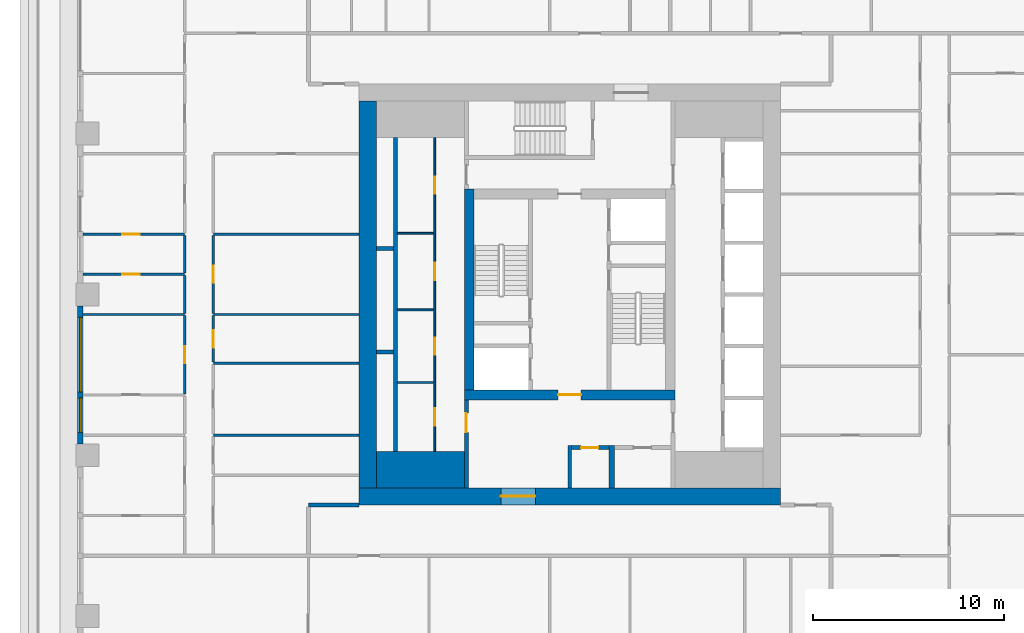
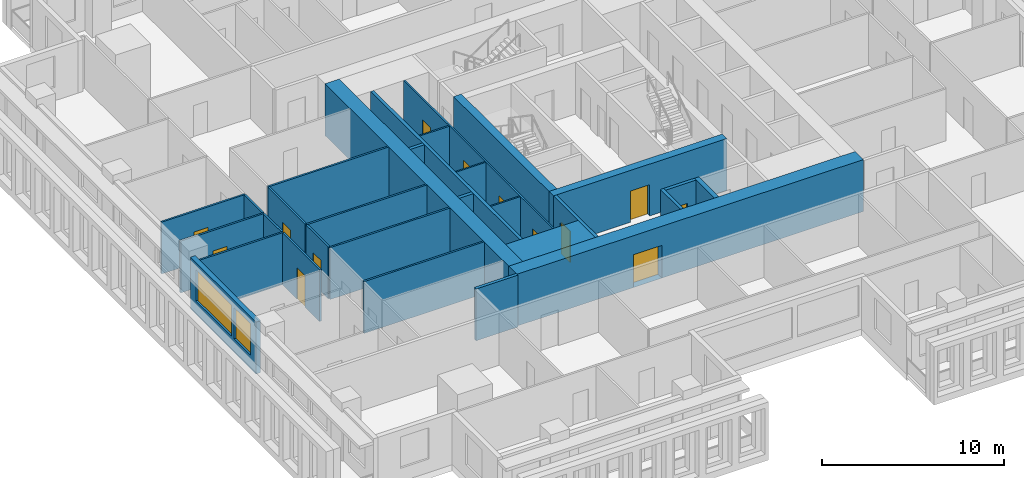
# One storey, part 3 of 15: 30 walls, 13 doors, 2 windows, 15 openings.
"""IFC4 building model written with IfcOpenShell, lengths in metres."""

from ifc_helpers import new_model, si_unit, direction, frame, frame_2d, origin, place, context, subcontext, project, spatial, rectangle, extrude, material, layer, layer_set, type_object, element, fill, save


model = new_model("IFC4")

# Units and contexts
model_context = context("Model", 3, precision=1e-05, world=origin(), true_north=direction((0.0, 1.0)))
body_context = subcontext(model_context, "Body", "Model", "MODEL_VIEW")
ifc_project = project(units=[si_unit("LENGTHUNIT", "METRE"), si_unit("AREAUNIT", "SQUARE_METRE"), si_unit("VOLUMEUNIT", "CUBIC_METRE"), si_unit("PLANEANGLEUNIT", "RADIAN"), si_unit("MASSUNIT", "GRAM", prefix="KILO")], contexts=[model_context])

# Site, building, storey
site_placement = place(None, origin())
site = spatial("IfcSite", under=ifc_project, at=site_placement, CompositionType="ELEMENT")
building_placement = place(site_placement, origin())
building = spatial("IfcBuilding", under=site, at=building_placement, Name="Khepri Terraces", CompositionType="ELEMENT")
storey_placement = place(building_placement, frame((0.0, 0.0, 252.300048828125)))
storey = spatial("IfcBuildingStorey", under=building, at=storey_placement, Name="L60", CompositionType="ELEMENT", Elevation=252.300048828125)

# Walls
ifc_material_1 = material(Name="Concrete C40/50", Category="concrete")
ifc_layer_1 = layer(ifc_material_1, 1.89990234375, Name="Concrete C40/50", Category="concrete")
ifc_layer_set_1 = layer_set([ifc_layer_1], Name="Concrete C40/50")
wall_type_1 = type_object("IfcWallType", Name="Core wall 1900 C40/50", PredefinedType="SHEAR", material=ifc_layer_set_1)
wall_1_placement = place(storey_placement, frame((-10.10009765625, -9.14990234375, 0.0), z_axis=(0.0, 0.0, 1.0), x_axis=(1.0, 0.0, 0.0)))
element("IfcWall", 1, at=wall_1_placement, inside=storey, type_object=wall_type_1, Name="Core wall PR01 L60", PredefinedType="SHEAR", context=body_context, shape_type="SweptSolid", body=[
    extrude(rectangle(XDim=4.60009765625, YDim=1.89990234375, at=frame_2d((2.300048828125, 0.0))), origin(), (0.0, 0.0, 1.0), 3.47998046875),
])
ifc_layer_2 = layer(ifc_material_1, 0.199951171875, Name="Concrete C40/50", Category="concrete")
ifc_layer_set_2 = layer_set([ifc_layer_2], Name="Concrete C40/50")
wall_type_2 = type_object("IfcWallType", Name="Core wall 200 C40/50", PredefinedType="SHEAR", material=ifc_layer_set_2)
wall_2_placement = place(storey_placement, frame((-9.10009765625, -8.199951171875, 0.0), z_axis=(0.0, 0.0, 1.0), x_axis=(0.0, 1.0, 0.0)))
element("IfcWall", 2, at=wall_2_placement, inside=storey, type_object=wall_type_2, Name="Core wall SH01 L60", PredefinedType="SHEAR", context=body_context, shape_type="SweptSolid", body=[
    extrude(rectangle(XDim=16.39990234375, YDim=0.199951171875, at=frame_2d((8.199951171875, 0.0))), origin(), (0.0, 0.0, 1.0), 3.47998046875),
])
for number, where, z_axis, x_axis, name in (
    (3, (-10.10009765625, -3.0, 0.0), (0.0, 0.0, 1.0), (1.0, 0.0, 0.0), "Core wall SH06 L60"),
    (4, (-10.10009765625, 2.39990234375, 0.0), (0.0, 0.0, 1.0), (1.0, 0.0, 0.0), "Core wall SH11 L60"),
):
    element("IfcWall", number, at=place(storey_placement, frame(where, z_axis=z_axis, x_axis=x_axis)), inside=storey, type_object=wall_type_2, Name=name, PredefinedType="SHEAR", context=body_context, shape_type="SweptSolid", body=[
        extrude(rectangle(XDim=0.900146484375, YDim=0.199951171875, at=frame_2d((0.4501953125, 0.0))), origin(), (0.0, 0.0, 1.0), 3.47998046875),
    ])

# Wall, opening, door
ifc_layer_3 = layer(ifc_material_1, 0.5, Name="Concrete C40/50", Category="concrete")
ifc_layer_set_3 = layer_set([ifc_layer_3], Name="Concrete C40/50")
wall_type_3 = type_object("IfcWallType", Name="Core wall 500 C40/50", PredefinedType="SHEAR", material=ifc_layer_set_3)
wall_3_placement = place(storey_placement, frame((-5.5, -5.25, 0.0), z_axis=(0.0, 0.0, 1.0), x_axis=(1.0, 0.0, 0.0)))
wall_3 = element("IfcWall", 5, at=wall_3_placement, inside=storey, type_object=wall_type_3, Name="Core wall BX01 L60", PredefinedType="SHEAR", context=body_context, shape_type="SweptSolid", body=[
    extrude(rectangle(XDim=11.0, YDim=0.5, at=frame_2d((5.5, 0.0))), origin(), (0.0, 0.0, 1.0), 3.47998046875),
])
opening_1_placement = place(wall_3_placement, frame((4.89990234375, 0.0, 0.0)))
opening_1 = element("IfcOpeningElement", 6, at=opening_1_placement, cuts=wall_3, Name="Opening L60-C14", PredefinedType="OPENING", context=body_context, shape_type="SweptSolid", body=[
    extrude(rectangle(XDim=1.199951171875, YDim=2.10009765625, at=frame_2d((0.60009765625, 1.050048828125))), frame((0.0, 0.260009765625, 0.0), z_axis=(0.0, -1.0, 0.0), x_axis=(1.0, 0.0, 0.0)), (0.0, 0.0, 1.0), 0.52001953125),
])
ifc_material_2 = material(Name="Painted steel", Category="steel")
door_type_1 = type_object("IfcDoorType", Name="DR-CORE-FF-LOBBY-1200", OperationType="NOTDEFINED", PredefinedType="DOOR", material=ifc_material_2)
door_1_placement = place(opening_1_placement, origin())
door_1 = element("IfcDoor", 7, at=door_1_placement, inside=storey, type_object=door_type_1, Name="Firefighting lobby door L60-C14", OperationType="SINGLE_SWING_RIGHT", OverallHeight=2.10009765625, OverallWidth=1.199951171875, PredefinedType="DOOR", context=body_context, shape_type="SweptSolid", body=[
    extrude(rectangle(XDim=1.199951171875, YDim=2.10009765625, at=frame_2d((0.60009765625, 1.050048828125))), frame((0.0, 0.02490234375, 0.0), z_axis=(0.0, -1.0, 0.0), x_axis=(1.0, 0.0, 0.0)), (0.0, 0.0, 1.0), 0.050048828125),
])
fill(opening_1, door_1)

# Wall
wall_4_placement = place(storey_placement, frame((-5.25, -5.0, 0.0), z_axis=(0.0, 0.0, 1.0), x_axis=(0.0, 1.0, 0.0)))
element("IfcWall", 8, at=wall_4_placement, inside=storey, type_object=wall_type_3, Name="Core wall BX02 L60", PredefinedType="SHEAR", context=body_context, shape_type="SweptSolid", body=[
    extrude(rectangle(XDim=10.5, YDim=0.5, at=frame_2d((5.25, 0.0))), origin(), (0.0, 0.0, 1.0), 3.47998046875),
])

# Wall, opening, door
ifc_layer_4 = layer(ifc_material_1, 0.89990234375, Name="Concrete C40/50", Category="concrete")
ifc_layer_set_4 = layer_set([ifc_layer_4], Name="Concrete C40/50")
wall_type_4 = type_object("IfcWallType", Name="Core wall 900 C40/50", PredefinedType="SHEAR", material=ifc_layer_set_4)
wall_5_placement = place(storey_placement, frame((-11.0, -10.550048828125, 0.0), z_axis=(0.0, 0.0, 1.0), x_axis=(1.0, 0.0, 0.0)))
wall_5 = element("IfcWall", 9, at=wall_5_placement, inside=storey, type_object=wall_type_4, Name="Core wall OW-S L60", PredefinedType="SHEAR", context=body_context, shape_type="SweptSolid", body=[
    extrude(rectangle(XDim=22.0, YDim=0.89990234375, at=frame_2d((11.0, 0.0))), origin(), (0.0, 0.0, 1.0), 3.47998046875),
])
opening_2_placement = place(wall_5_placement, frame((7.39990234375, 0.0, 0.0)))
opening_2 = element("IfcOpeningElement", 10, at=opening_2_placement, cuts=wall_5, Name="Opening L60-C21", PredefinedType="OPENING", context=body_context, shape_type="SweptSolid", body=[
    extrude(rectangle(XDim=1.800048828125, YDim=2.199951171875, at=frame_2d((0.89990234375, 1.10009765625))), frame((0.0, 0.4599609375, 0.0), z_axis=(0.0, -1.0, 0.0), x_axis=(1.0, 0.0, 0.0)), (0.0, 0.0, 1.0), 0.919921875),
])
door_type_2 = type_object("IfcDoorType", Name="DR-CORE-ENTRANCE-1800", OperationType="NOTDEFINED", PredefinedType="DOOR", material=ifc_material_2)
door_2_placement = place(opening_2_placement, frame((1.800048828125, 0.0, 0.0), z_axis=(0.0, 0.0, 1.0), x_axis=(-1.0, 0.0, 0.0)))
door_2 = element("IfcDoor", 11, at=door_2_placement, inside=storey, type_object=door_type_2, Name="Core entrance door pair L60-C21", OperationType="DOUBLE_DOOR_SINGLE_SWING", OverallHeight=2.199951171875, OverallWidth=1.800048828125, PredefinedType="DOOR", context=body_context, shape_type="SweptSolid", body=[
    extrude(rectangle(XDim=1.800048828125, YDim=2.199951171875, at=frame_2d((0.89990234375, 1.10009765625))), frame((0.0, 0.02490234375, 0.0), z_axis=(0.0, -1.0, 0.0), x_axis=(1.0, 0.0, 0.0)), (0.0, 0.0, 1.0), 0.050048828125),
])
fill(opening_2, door_2)

# Wall
wall_6_placement = place(storey_placement, frame((-10.550048828125, -10.10009765625, 0.0), z_axis=(0.0, 0.0, 1.0), x_axis=(0.0, 1.0, 0.0)))
element("IfcWall", 12, at=wall_6_placement, inside=storey, type_object=wall_type_4, Name="Core wall OW-W L60", PredefinedType="SHEAR", context=body_context, shape_type="SweptSolid", body=[
    extrude(rectangle(XDim=20.2001953125, YDim=0.89990234375, at=frame_2d((10.10009765625, 0.0))), origin(), (0.0, 0.0, 1.0), 3.47998046875),
])

# Wall, openings, doors
ifc_material_3 = material(Name="Fire-rated gypsum board partition")
ifc_layer_5 = layer(ifc_material_3, 0.10009765625, Name="Fire-rated gypsum board partition")
ifc_layer_set_5 = layer_set([ifc_layer_5], Name="Fire-rated gypsum board partition")
wall_type_5 = type_object("IfcWallType", Name="WL-CORE-PART-100", PredefinedType="PARTITIONING", material=ifc_layer_set_5)
wall_7_placement = place(storey_placement, frame((-7.050048828125, -8.199951171875, 0.0), z_axis=(0.0, 0.0, 1.0), x_axis=(0.0, 1.0, 0.0)))
wall_7 = element("IfcWall", 13, at=wall_7_placement, inside=storey, type_object=wall_type_5, Name="Core partition PT05 L60", PredefinedType="PARTITIONING", context=body_context, shape_type="SweptSolid", body=[
    extrude(rectangle(XDim=16.39990234375, YDim=0.10009765625, at=frame_2d((8.199951171875, 0.0))), origin(), (0.0, 0.0, 1.0), 3.47998046875),
])
opening_3_placement = place(wall_7_placement, frame((1.35009765625, 0.0, 0.0)))
opening_3 = element("IfcOpeningElement", 14, at=opening_3_placement, cuts=wall_7, Name="Opening L60-C24", PredefinedType="OPENING", context=body_context, shape_type="SweptSolid", body=[
    extrude(rectangle(XDim=0.89990234375, YDim=2.10009765625, at=frame_2d((0.449951171875, 1.050048828125))), frame((0.0, 0.06005859375, 0.0), z_axis=(0.0, -1.0, 0.0), x_axis=(1.0, 0.0, 0.0)), (0.0, 0.0, 1.0), 0.1201171875),
])
opening_4_placement = place(wall_7_placement, frame((5.050048828125, 0.0, 0.0)))
opening_4 = element("IfcOpeningElement", 15, at=opening_4_placement, cuts=wall_7, Name="Opening L60-C25", PredefinedType="OPENING", context=body_context, shape_type="SweptSolid", body=[
    extrude(rectangle(XDim=0.89990234375, YDim=2.10009765625, at=frame_2d((0.449951171875, 1.050048828125))), frame((0.0, 0.06005859375, 0.0), z_axis=(0.0, -1.0, 0.0), x_axis=(1.0, 0.0, 0.0)), (0.0, 0.0, 1.0), 0.1201171875),
])
opening_5_placement = place(wall_7_placement, frame((8.949951171875, 0.0, 0.0)))
opening_5 = element("IfcOpeningElement", 16, at=opening_5_placement, cuts=wall_7, Name="Opening L60-C26", PredefinedType="OPENING", context=body_context, shape_type="SweptSolid", body=[
    extrude(rectangle(XDim=0.89990234375, YDim=2.10009765625, at=frame_2d((0.449951171875, 1.050048828125))), frame((0.0, 0.06005859375, 0.0), z_axis=(0.0, -1.0, 0.0), x_axis=(1.0, 0.0, 0.0)), (0.0, 0.0, 1.0), 0.1201171875),
])
opening_6_placement = place(wall_7_placement, frame((13.449951171875, 0.0, 0.0)))
opening_6 = element("IfcOpeningElement", 17, at=opening_6_placement, cuts=wall_7, Name="Opening L60-C27", PredefinedType="OPENING", context=body_context, shape_type="SweptSolid", body=[
    extrude(rectangle(XDim=0.89990234375, YDim=2.10009765625, at=frame_2d((0.449951171875, 1.050048828125))), frame((0.0, 0.06005859375, 0.0), z_axis=(0.0, -1.0, 0.0), x_axis=(1.0, 0.0, 0.0)), (0.0, 0.0, 1.0), 0.1201171875),
])
door_type_3 = type_object("IfcDoorType", Name="DR-CORE-SERVICE-900", OperationType="NOTDEFINED", PredefinedType="DOOR", material=ifc_material_2)
door_3_placement = place(opening_3_placement, origin())
door_3 = element("IfcDoor", 18, at=door_3_placement, inside=storey, type_object=door_type_3, Name="Service room door L60-C24", OperationType="SINGLE_SWING_LEFT", OverallHeight=2.10009765625, OverallWidth=0.89990234375, PredefinedType="DOOR", context=body_context, shape_type="SweptSolid", body=[
    extrude(rectangle(XDim=0.89990234375, YDim=2.10009765625, at=frame_2d((0.449951171875, 1.050048828125))), frame((0.0, 0.02490234375, 0.0), z_axis=(0.0, -1.0, 0.0), x_axis=(1.0, 0.0, 0.0)), (0.0, 0.0, 1.0), 0.050048828125),
])
fill(opening_3, door_3)
door_4_placement = place(opening_4_placement, origin())
door_4 = element("IfcDoor", 19, at=door_4_placement, inside=storey, type_object=door_type_3, Name="Service room door L60-C25", OperationType="SINGLE_SWING_LEFT", OverallHeight=2.10009765625, OverallWidth=0.89990234375, PredefinedType="DOOR", context=body_context, shape_type="SweptSolid", body=[
    extrude(rectangle(XDim=0.89990234375, YDim=2.10009765625, at=frame_2d((0.449951171875, 1.050048828125))), frame((0.0, 0.02490234375, 0.0), z_axis=(0.0, -1.0, 0.0), x_axis=(1.0, 0.0, 0.0)), (0.0, 0.0, 1.0), 0.050048828125),
])
fill(opening_4, door_4)
door_5_placement = place(opening_5_placement, origin())
door_5 = element("IfcDoor", 20, at=door_5_placement, inside=storey, type_object=door_type_3, Name="Service room door L60-C26", OperationType="SINGLE_SWING_RIGHT", OverallHeight=2.10009765625, OverallWidth=0.89990234375, PredefinedType="DOOR", context=body_context, shape_type="SweptSolid", body=[
    extrude(rectangle(XDim=0.89990234375, YDim=2.10009765625, at=frame_2d((0.449951171875, 1.050048828125))), frame((0.0, 0.02490234375, 0.0), z_axis=(0.0, -1.0, 0.0), x_axis=(1.0, 0.0, 0.0)), (0.0, 0.0, 1.0), 0.050048828125),
])
fill(opening_5, door_5)
door_6_placement = place(opening_6_placement, origin())
door_6 = element("IfcDoor", 21, at=door_6_placement, inside=storey, type_object=door_type_3, Name="Service room door L60-C27", OperationType="SINGLE_SWING_RIGHT", OverallHeight=2.10009765625, OverallWidth=0.89990234375, PredefinedType="DOOR", context=body_context, shape_type="SweptSolid", body=[
    extrude(rectangle(XDim=0.89990234375, YDim=2.10009765625, at=frame_2d((0.449951171875, 1.050048828125))), frame((0.0, 0.02490234375, 0.0), z_axis=(0.0, -1.0, 0.0), x_axis=(1.0, 0.0, 0.0)), (0.0, 0.0, 1.0), 0.050048828125),
])
fill(opening_6, door_6)

# Walls
for number, where, z_axis, x_axis, name in (
    (22, (-9.0, -4.60009765625, 0.0), (0.0, 0.0, 1.0), (1.0, 0.0, 0.0), "Core partition PT08 L60"),
    (23, (-9.0, -0.800048828125, 0.0), (0.0, 0.0, 1.0), (1.0, 0.0, 0.0), "Core partition PT09 L60"),
    (24, (-9.0, 3.199951171875, 0.0), (0.0, 0.0, 1.0), (1.0, 0.0, 0.0), "Core partition PT10 L60"),
):
    element("IfcWall", number, at=place(storey_placement, frame(where, z_axis=z_axis, x_axis=x_axis)), inside=storey, type_object=wall_type_5, Name=name, PredefinedType="PARTITIONING", context=body_context, shape_type="SweptSolid", body=[
        extrude(rectangle(XDim=1.89990234375, YDim=0.10009765625, at=frame_2d((0.949951171875, 0.0))), origin(), (0.0, 0.0, 1.0), 3.47998046875),
    ])

# Wall, opening, door
ifc_layer_6 = layer(ifc_material_3, 0.199951171875, Name="Fire-rated gypsum board partition")
ifc_layer_set_6 = layer_set([ifc_layer_6], Name="Fire-rated gypsum board partition")
wall_type_6 = type_object("IfcWallType", Name="WL-CORE-PART-200", PredefinedType="PARTITIONING", material=ifc_layer_set_6)
wall_8_placement = place(storey_placement, frame((-5.39990234375, -10.10009765625, 0.0), z_axis=(0.0, 0.0, 1.0), x_axis=(0.0, 1.0, 0.0)))
wall_8 = element("IfcWall", 25, at=wall_8_placement, inside=storey, type_object=wall_type_6, Name="Core partition PT01 L60", PredefinedType="PARTITIONING", context=body_context, shape_type="SweptSolid", body=[
    extrude(rectangle(XDim=4.60009765625, YDim=0.199951171875, at=frame_2d((2.300048828125, 0.0))), origin(), (0.0, 0.0, 1.0), 3.47998046875),
])
opening_7_placement = place(wall_8_placement, frame((2.89990234375, 0.0, 0.0)))
opening_7 = element("IfcOpeningElement", 26, at=opening_7_placement, cuts=wall_8, Name="Opening L60-C18", PredefinedType="OPENING", context=body_context, shape_type="SweptSolid", body=[
    extrude(rectangle(XDim=1.0, YDim=2.10009765625, at=frame_2d((0.5, 1.050048828125))), frame((0.0, 0.10986328125, 0.0), z_axis=(0.0, -1.0, 0.0), x_axis=(1.0, 0.0, 0.0)), (0.0, 0.0, 1.0), 0.219970703125),
])
door_type_4 = type_object("IfcDoorType", Name="DR-CORE-LOBBY-1000", OperationType="NOTDEFINED", PredefinedType="DOOR", material=ifc_material_2)
door_7_placement = place(opening_7_placement, frame((1.0, 0.0, 0.0), z_axis=(0.0, 0.0, 1.0), x_axis=(-1.0, 0.0, 0.0)))
door_7 = element("IfcDoor", 27, at=door_7_placement, inside=storey, type_object=door_type_4, Name="Lobby door L60-C18", OperationType="SINGLE_SWING_LEFT", OverallHeight=2.10009765625, OverallWidth=1.0, PredefinedType="DOOR", context=body_context, shape_type="SweptSolid", body=[
    extrude(rectangle(XDim=1.0, YDim=2.10009765625, at=frame_2d((0.5, 1.050048828125))), frame((0.0, 0.02490234375, 0.0), z_axis=(0.0, -1.0, 0.0), x_axis=(1.0, 0.0, 0.0)), (0.0, 0.0, 1.0), 0.050048828125),
])
fill(opening_7, door_7)

# Wall
wall_9_placement = place(storey_placement, frame((0.0, -10.10009765625, 0.0), z_axis=(0.0, 0.0, 1.0), x_axis=(0.0, 1.0, 0.0)))
element("IfcWall", 28, at=wall_9_placement, inside=storey, type_object=wall_type_6, Name="Core partition PT02 L60", PredefinedType="PARTITIONING", context=body_context, shape_type="SweptSolid", body=[
    extrude(rectangle(XDim=2.2001953125, YDim=0.199951171875, at=frame_2d((1.10009765625, 0.0))), origin(), (0.0, 0.0, 1.0), 3.47998046875),
])

# Wall, opening, door
wall_10_placement = place(storey_placement, frame((0.10009765625, -8.0, 0.0), z_axis=(0.0, 0.0, 1.0), x_axis=(1.0, 0.0, 0.0)))
wall_10 = element("IfcWall", 29, at=wall_10_placement, inside=storey, type_object=wall_type_6, Name="Core partition PT06 L60", PredefinedType="PARTITIONING", context=body_context, shape_type="SweptSolid", body=[
    extrude(rectangle(XDim=1.949951171875, YDim=0.199951171875, at=frame_2d((0.97509765625, 0.0))), origin(), (0.0, 0.0, 1.0), 3.47998046875),
])
opening_8_placement = place(wall_10_placement, frame((0.5, 0.0, 0.0)))
opening_8 = element("IfcOpeningElement", 30, at=opening_8_placement, cuts=wall_10, Name="Opening L60-C22", PredefinedType="OPENING", context=body_context, shape_type="SweptSolid", body=[
    extrude(rectangle(XDim=0.89990234375, YDim=2.10009765625, at=frame_2d((0.449951171875, 1.050048828125))), frame((0.0, 0.10986328125, 0.0), z_axis=(0.0, -1.0, 0.0), x_axis=(1.0, 0.0, 0.0)), (0.0, 0.0, 1.0), 0.219970703125),
])
door_8_placement = place(opening_8_placement, frame((0.89990234375, 0.0, 0.0), z_axis=(0.0, 0.0, 1.0), x_axis=(-1.0, 0.0, 0.0)))
door_8 = element("IfcDoor", 31, at=door_8_placement, inside=storey, type_object=door_type_3, Name="Service room door L60-C22", OperationType="SINGLE_SWING_RIGHT", OverallHeight=2.10009765625, OverallWidth=0.89990234375, PredefinedType="DOOR", context=body_context, shape_type="SweptSolid", body=[
    extrude(rectangle(XDim=0.89990234375, YDim=2.10009765625, at=frame_2d((0.449951171875, 1.050048828125))), frame((0.0, 0.02490234375, 0.0), z_axis=(0.0, -1.0, 0.0), x_axis=(1.0, 0.0, 0.0)), (0.0, 0.0, 1.0), 0.050048828125),
])
fill(opening_8, door_8)

# Walls
ifc_layer_7 = layer(ifc_material_3, 0.300048828125, Name="Fire-rated gypsum board partition")
ifc_layer_set_7 = layer_set([ifc_layer_7], Name="Fire-rated gypsum board partition")
wall_type_7 = type_object("IfcWallType", Name="WL-CORE-PART-300", PredefinedType="PARTITIONING", material=ifc_layer_set_7)
wall_11_placement = place(storey_placement, frame((2.199951171875, -10.10009765625, 0.0), z_axis=(0.0, 0.0, 1.0), x_axis=(0.0, 1.0, 0.0)))
element("IfcWall", 32, at=wall_11_placement, inside=storey, type_object=wall_type_7, Name="Core partition PT03 L60", PredefinedType="PARTITIONING", context=body_context, shape_type="SweptSolid", body=[
    extrude(rectangle(XDim=2.2001953125, YDim=0.300048828125, at=frame_2d((1.10009765625, 0.0))), origin(), (0.0, 0.0, 1.0), 3.47998046875),
])
ifc_material_4 = material(Name="Fire-rated gypsum plasterboard partition, mineral wool")
ifc_layer_8 = layer(ifc_material_4, 0.199951171875, Name="Fire-rated gypsum plasterboard partition, mineral wool")
ifc_layer_set_8 = layer_set([ifc_layer_8], Name="Fire-rated gypsum plasterboard partition, mineral wool")
wall_type_8 = type_object("IfcWallType", Name="WL-CORR-200", PredefinedType="PARTITIONING", material=ifc_layer_set_8)
wall_12_placement = place(storey_placement, frame((-13.64990234375, -11.0, 0.0), z_axis=(0.0, 0.0, 1.0), x_axis=(1.0, 0.0, 0.0)))
element("IfcWall", 33, at=wall_12_placement, inside=storey, type_object=wall_type_8, Name="Partition P-027 L60", PredefinedType="PARTITIONING", context=body_context, shape_type="SweptSolid", body=[
    extrude(rectangle(XDim=2.64990234375, YDim=0.199951171875, at=frame_2d((1.324951171875, 0.0))), origin(), (0.0, 0.0, 1.0), 3.47998046875),
])

# Wall, openings, windows
ifc_material_5 = material(Name="Precast concrete C50/60 warm stone", Category="masonry")
ifc_layer_9 = layer(ifc_material_5, 0.300048828125, Name="Precast concrete C50/60 warm stone", Category="masonry")
ifc_layer_set_9 = layer_set([ifc_layer_9], Name="Precast concrete C50/60 warm stone")
wall_type_9 = type_object("IfcWallType", Name="WL-EXT-PRECAST-300", PredefinedType="STANDARD", material=ifc_layer_set_9)
wall_13_placement = place(storey_placement, frame((-25.570068359375, -0.60009765625, 0.0), z_axis=(0.0, 0.0, 1.0), x_axis=(0.0, -1.0, 0.0)))
wall_13 = element("IfcWall", 34, at=wall_13_placement, inside=storey, type_object=wall_type_9, Name="External wall L60 W", PredefinedType="STANDARD", context=body_context, shape_type="SweptSolid", body=[
    extrude(rectangle(XDim=7.199951171875, YDim=0.300048828125, at=frame_2d((3.60009765625, 0.0))), origin(), (0.0, 0.0, 1.0), 3.47998046875),
])
opening_9_placement = place(wall_13_placement, frame((0.60009765625, 0.0, 0.89990234375)))
opening_9 = element("IfcOpeningElement", 35, at=opening_9_placement, cuts=wall_13, Name="Opening W2", PredefinedType="OPENING", context=body_context, shape_type="SweptSolid", body=[
    extrude(rectangle(XDim=3.89990234375, YDim=2.10009765625, at=frame_2d((1.949951171875, 1.050048828125))), frame((0.0, 0.16015625, 0.0), z_axis=(0.0, -1.0, 0.0), x_axis=(1.0, 0.0, 0.0)), (0.0, 0.0, 1.0), 0.320068359375),
])
opening_10_placement = place(wall_13_placement, frame((4.800048828125, 0.0, 0.89990234375)))
opening_10 = element("IfcOpeningElement", 36, at=opening_10_placement, cuts=wall_13, Name="Opening W1", PredefinedType="OPENING", context=body_context, shape_type="SweptSolid", body=[
    extrude(rectangle(XDim=1.800048828125, YDim=2.10009765625, at=frame_2d((0.89990234375, 1.050048828125))), frame((0.0, 0.16015625, 0.0), z_axis=(0.0, -1.0, 0.0), x_axis=(1.0, 0.0, 0.0)), (0.0, 0.0, 1.0), 0.320068359375),
])
ifc_material_6 = material(Name="Clear glass", Category="glass")
window_type_1 = type_object("IfcWindowType", Name="WIN-RES-1800x2100", PartitioningType="SINGLE_PANEL", PredefinedType="WINDOW", material=ifc_material_6)
window_1_placement = place(opening_10_placement, origin())
window_1 = element("IfcWindow", 37, at=window_1_placement, inside=storey, type_object=window_type_1, Name="Window L60 W", OverallHeight=2.10009765625, OverallWidth=1.800048828125, PartitioningType="SINGLE_PANEL", PredefinedType="WINDOW", context=body_context, shape_type="SweptSolid", body=[
    extrude(rectangle(XDim=1.800048828125, YDim=2.10009765625, at=frame_2d((0.89990234375, 1.050048828125))), frame((0.0, 0.030029296875, 0.0), z_axis=(0.0, -1.0, 0.0), x_axis=(1.0, 0.0, 0.0)), (0.0, 0.0, 1.0), 0.06005859375),
])
fill(opening_10, window_1)
window_type_2 = type_object("IfcWindowType", Name="WIN-RES-3900x2100", PartitioningType="SINGLE_PANEL", PredefinedType="WINDOW", material=ifc_material_6)
window_2_placement = place(opening_9_placement, origin())
window_2 = element("IfcWindow", 38, at=window_2_placement, inside=storey, type_object=window_type_2, Name="Window L60 W", OverallHeight=2.10009765625, OverallWidth=3.89990234375, PartitioningType="SINGLE_PANEL", PredefinedType="WINDOW", context=body_context, shape_type="SweptSolid", body=[
    extrude(rectangle(XDim=3.89990234375, YDim=2.10009765625, at=frame_2d((1.949951171875, 1.050048828125))), frame((0.0, 0.030029296875, 0.0), z_axis=(0.0, -1.0, 0.0), x_axis=(1.0, 0.0, 0.0)), (0.0, 0.0, 1.0), 0.06005859375),
])
fill(opening_9, window_2)

# Wall
ifc_material_7 = material(Name="Gypsum plasterboard partition")
ifc_layer_10 = layer(ifc_material_7, 0.1201171875, Name="Gypsum plasterboard partition")
ifc_layer_set_10 = layer_set([ifc_layer_10], Name="Gypsum plasterboard partition")
wall_type_10 = type_object("IfcWallType", Name="WL-PART-120", PredefinedType="PARTITIONING", material=ifc_layer_set_10)
wall_14_placement = place(storey_placement, frame((-18.6201171875, -7.35009765625, 0.0), z_axis=(0.0, 0.0, 1.0), x_axis=(1.0, 0.0, 0.0)))
element("IfcWall", 39, at=wall_14_placement, inside=storey, type_object=wall_type_10, Name="Partition P-032 L60", PredefinedType="PARTITIONING", context=body_context, shape_type="SweptSolid", body=[
    extrude(rectangle(XDim=7.6201171875, YDim=0.1201171875, at=frame_2d((3.81005859375, 0.0))), origin(), (0.0, 0.0, 1.0), 3.47998046875),
])

# Wall, opening, door
wall_15_placement = place(storey_placement, frame((-20.1201171875, -5.18994140625, 0.0), z_axis=(0.0, 0.0, 1.0), x_axis=(0.0, 1.0, 0.0)))
wall_15 = element("IfcWall", 40, at=wall_15_placement, inside=storey, type_object=wall_type_10, Name="Partition P-038 L60", PredefinedType="PARTITIONING", context=body_context, shape_type="SweptSolid", body=[
    extrude(rectangle(XDim=4.079833984375, YDim=0.1201171875, at=frame_2d((2.0400390625, 0.0))), origin(), (0.0, 0.0, 1.0), 3.47998046875),
])
opening_11_placement = place(wall_15_placement, frame((1.590087890625, 0.0, 0.0)))
opening_11 = element("IfcOpeningElement", 41, at=opening_11_placement, cuts=wall_15, Name="Opening D3", PredefinedType="OPENING", context=body_context, shape_type="SweptSolid", body=[
    extrude(rectangle(XDim=0.89990234375, YDim=2.10009765625, at=frame_2d((0.449951171875, 1.050048828125))), frame((0.0, 0.070068359375, 0.0), z_axis=(0.0, -1.0, 0.0), x_axis=(1.0, 0.0, 0.0)), (0.0, 0.0, 1.0), 0.14013671875),
])
ifc_material_8 = material(Name="Timber door leaf", Category="wood")
door_type_5 = type_object("IfcDoorType", Name="DR-INT-900", OperationType="NOTDEFINED", PredefinedType="DOOR", material=ifc_material_8)
door_9_placement = place(opening_11_placement, origin())
door_9 = element("IfcDoor", 42, at=door_9_placement, inside=storey, type_object=door_type_5, Name="Door Bedroom", OperationType="SINGLE_SWING_RIGHT", OverallHeight=2.10009765625, OverallWidth=0.89990234375, PredefinedType="DOOR", context=body_context, shape_type="SweptSolid", body=[
    extrude(rectangle(XDim=0.89990234375, YDim=2.10009765625, at=frame_2d((0.449951171875, 1.050048828125))), frame((0.0, 0.02490234375, 0.0), z_axis=(0.0, -1.0, 0.0), x_axis=(1.0, 0.0, 0.0)), (0.0, 0.0, 1.0), 0.050048828125),
])
fill(opening_11, door_9)

# Wall
wall_16_placement = place(storey_placement, frame((-18.6201171875, -3.60009765625, 0.0), z_axis=(0.0, 0.0, 1.0), x_axis=(1.0, 0.0, 0.0)))
element("IfcWall", 43, at=wall_16_placement, inside=storey, type_object=wall_type_10, Name="Partition P-041 L60", PredefinedType="PARTITIONING", context=body_context, shape_type="SweptSolid", body=[
    extrude(rectangle(XDim=7.6201171875, YDim=0.1201171875, at=frame_2d((3.81005859375, 0.0))), origin(), (0.0, 0.0, 1.0), 3.47998046875),
])

# Wall, opening, door
wall_17_placement = place(storey_placement, frame((-18.6201171875, -3.5400390625, 0.0), z_axis=(0.0, 0.0, 1.0), x_axis=(0.0, 1.0, 0.0)))
wall_17 = element("IfcWall", 44, at=wall_17_placement, inside=storey, type_object=wall_type_10, Name="Partition P-042 L60", PredefinedType="PARTITIONING", context=body_context, shape_type="SweptSolid", body=[
    extrude(rectangle(XDim=2.429931640625, YDim=0.1201171875, at=frame_2d((1.21484375, 0.0))), origin(), (0.0, 0.0, 1.0), 3.47998046875),
])
opening_12_placement = place(wall_17_placement, frame((0.764892578125, 0.0, 0.0)))
opening_12 = element("IfcOpeningElement", 45, at=opening_12_placement, cuts=wall_17, Name="Opening D4", PredefinedType="OPENING", context=body_context, shape_type="SweptSolid", body=[
    extrude(rectangle(XDim=0.89990234375, YDim=2.10009765625, at=frame_2d((0.449951171875, 1.050048828125))), frame((0.0, 0.070068359375, 0.0), z_axis=(0.0, -1.0, 0.0), x_axis=(1.0, 0.0, 0.0)), (0.0, 0.0, 1.0), 0.14013671875),
])
ifc_material_9 = material(Name="Timber door leaf, moisture resistant", Category="wood")
door_type_6 = type_object("IfcDoorType", Name="DR-WET-900", OperationType="NOTDEFINED", PredefinedType="DOOR", material=ifc_material_9)
door_10_placement = place(opening_12_placement, frame((0.89990234375, 0.0, 0.0), z_axis=(0.0, 0.0, 1.0), x_axis=(-1.0, 0.0, 0.0)))
door_10 = element("IfcDoor", 46, at=door_10_placement, inside=storey, type_object=door_type_6, Name="Door Powder Room", OperationType="SINGLE_SWING_LEFT", OverallHeight=2.10009765625, OverallWidth=0.89990234375, PredefinedType="DOOR", context=body_context, shape_type="SweptSolid", body=[
    extrude(rectangle(XDim=0.89990234375, YDim=2.10009765625, at=frame_2d((0.449951171875, 1.050048828125))), frame((0.0, 0.02490234375, 0.0), z_axis=(0.0, -1.0, 0.0), x_axis=(1.0, 0.0, 0.0)), (0.0, 0.0, 1.0), 0.050048828125),
])
fill(opening_12, door_10)

# Walls
wall_18_placement = place(storey_placement, frame((-25.419921875, -1.050048828125, 0.0), z_axis=(0.0, 0.0, 1.0), x_axis=(1.0, 0.0, 0.0)))
element("IfcWall", 47, at=wall_18_placement, inside=storey, type_object=wall_type_10, Name="Partition P-045 L60", PredefinedType="PARTITIONING", context=body_context, shape_type="SweptSolid", body=[
    extrude(rectangle(XDim=5.2998046875, YDim=0.1201171875, at=frame_2d((2.64990234375, 0.0))), origin(), (0.0, 0.0, 1.0), 3.47998046875),
])
wall_19_placement = place(storey_placement, frame((-18.6201171875, -1.050048828125, 0.0), z_axis=(0.0, 0.0, 1.0), x_axis=(1.0, 0.0, 0.0)))
element("IfcWall", 48, at=wall_19_placement, inside=storey, type_object=wall_type_10, Name="Partition P-046 L60", PredefinedType="PARTITIONING", context=body_context, shape_type="SweptSolid", body=[
    extrude(rectangle(XDim=7.6201171875, YDim=0.1201171875, at=frame_2d((3.81005859375, 0.0))), origin(), (0.0, 0.0, 1.0), 3.47998046875),
])
wall_20_placement = place(storey_placement, frame((-20.1201171875, -0.989990234375, 0.0), z_axis=(0.0, 0.0, 1.0), x_axis=(0.0, 1.0, 0.0)))
element("IfcWall", 49, at=wall_20_placement, inside=storey, type_object=wall_type_10, Name="Partition P-047 L60", PredefinedType="PARTITIONING", context=body_context, shape_type="SweptSolid", body=[
    extrude(rectangle(XDim=1.97998046875, YDim=0.1201171875, at=frame_2d((0.989990234375, 0.0))), origin(), (0.0, 0.0, 1.0), 3.47998046875),
])

# Wall, opening, door
wall_21_placement = place(storey_placement, frame((-18.6201171875, -0.989990234375, 0.0), z_axis=(0.0, 0.0, 1.0), x_axis=(0.0, 1.0, 0.0)))
wall_21 = element("IfcWall", 50, at=wall_21_placement, inside=storey, type_object=wall_type_10, Name="Partition P-048 L60", PredefinedType="PARTITIONING", context=body_context, shape_type="SweptSolid", body=[
    extrude(rectangle(XDim=4.080078125, YDim=0.1201171875, at=frame_2d((2.0400390625, 0.0))), origin(), (0.0, 0.0, 1.0), 3.47998046875),
])
opening_13_placement = place(wall_21_placement, frame((1.590087890625, 0.0, 0.0)))
opening_13 = element("IfcOpeningElement", 51, at=opening_13_placement, cuts=wall_21, Name="Opening D3", PredefinedType="OPENING", context=body_context, shape_type="SweptSolid", body=[
    extrude(rectangle(XDim=0.89990234375, YDim=2.10009765625, at=frame_2d((0.449951171875, 1.050048828125))), frame((0.0, 0.070068359375, 0.0), z_axis=(0.0, -1.0, 0.0), x_axis=(1.0, 0.0, 0.0)), (0.0, 0.0, 1.0), 0.14013671875),
])
door_11_placement = place(opening_13_placement, frame((0.89990234375, 0.0, 0.0), z_axis=(0.0, 0.0, 1.0), x_axis=(-1.0, 0.0, 0.0)))
door_11 = element("IfcDoor", 52, at=door_11_placement, inside=storey, type_object=door_type_5, Name="Door Service Store", OperationType="SINGLE_SWING_LEFT", OverallHeight=2.10009765625, OverallWidth=0.89990234375, PredefinedType="DOOR", context=body_context, shape_type="SweptSolid", body=[
    extrude(rectangle(XDim=0.89990234375, YDim=2.10009765625, at=frame_2d((0.449951171875, 1.050048828125))), frame((0.0, 0.02490234375, 0.0), z_axis=(0.0, -1.0, 0.0), x_axis=(1.0, 0.0, 0.0)), (0.0, 0.0, 1.0), 0.050048828125),
])
fill(opening_13, door_11)

wall_22_placement = place(storey_placement, frame((-25.419921875, 1.050048828125, 0.0), z_axis=(0.0, 0.0, 1.0), x_axis=(1.0, 0.0, 0.0)))
wall_22 = element("IfcWall", 53, at=wall_22_placement, inside=storey, type_object=wall_type_10, Name="Partition P-049 L60", PredefinedType="PARTITIONING", context=body_context, shape_type="SweptSolid", body=[
    extrude(rectangle(XDim=5.2998046875, YDim=0.1201171875, at=frame_2d((2.64990234375, 0.0))), origin(), (0.0, 0.0, 1.0), 3.47998046875),
])
opening_14_placement = place(wall_22_placement, frame((2.050048828125, 0.0, 0.0)))
opening_14 = element("IfcOpeningElement", 54, at=opening_14_placement, cuts=wall_22, Name="Opening D4", PredefinedType="OPENING", context=body_context, shape_type="SweptSolid", body=[
    extrude(rectangle(XDim=0.89990234375, YDim=2.10009765625, at=frame_2d((0.449951171875, 1.050048828125))), frame((0.0, 0.070068359375, 0.0), z_axis=(0.0, -1.0, 0.0), x_axis=(1.0, 0.0, 0.0)), (0.0, 0.0, 1.0), 0.14013671875),
])
door_12_placement = place(opening_14_placement, frame((0.89990234375, 0.0, 0.0), z_axis=(0.0, 0.0, 1.0), x_axis=(-1.0, 0.0, 0.0)))
door_12 = element("IfcDoor", 55, at=door_12_placement, inside=storey, type_object=door_type_6, Name="Door Bathroom", OperationType="SINGLE_SWING_RIGHT", OverallHeight=2.10009765625, OverallWidth=0.89990234375, PredefinedType="DOOR", context=body_context, shape_type="SweptSolid", body=[
    extrude(rectangle(XDim=0.89990234375, YDim=2.10009765625, at=frame_2d((0.449951171875, 1.050048828125))), frame((0.0, 0.02490234375, 0.0), z_axis=(0.0, -1.0, 0.0), x_axis=(1.0, 0.0, 0.0)), (0.0, 0.0, 1.0), 0.050048828125),
])
fill(opening_14, door_12)

# Wall
wall_23_placement = place(storey_placement, frame((-20.1201171875, 1.110107421875, 0.0), z_axis=(0.0, 0.0, 1.0), x_axis=(0.0, 1.0, 0.0)))
element("IfcWall", 56, at=wall_23_placement, inside=storey, type_object=wall_type_10, Name="Partition P-051 L60", PredefinedType="PARTITIONING", context=body_context, shape_type="SweptSolid", body=[
    extrude(rectangle(XDim=1.97998046875, YDim=0.1201171875, at=frame_2d((0.989990234375, 0.0))), origin(), (0.0, 0.0, 1.0), 3.47998046875),
])

# Wall, opening, door
wall_24_placement = place(storey_placement, frame((-25.419921875, 3.14990234375, 0.0), z_axis=(0.0, 0.0, 1.0), x_axis=(1.0, 0.0, 0.0)))
wall_24 = element("IfcWall", 57, at=wall_24_placement, inside=storey, type_object=wall_type_10, Name="Partition P-053 L60", PredefinedType="PARTITIONING", context=body_context, shape_type="SweptSolid", body=[
    extrude(rectangle(XDim=5.2998046875, YDim=0.1201171875, at=frame_2d((2.64990234375, 0.0))), origin(), (0.0, 0.0, 1.0), 3.47998046875),
])
opening_15_placement = place(wall_24_placement, frame((2.050048828125, 0.0, 0.0)))
opening_15 = element("IfcOpeningElement", 58, at=opening_15_placement, cuts=wall_24, Name="Opening D3", PredefinedType="OPENING", context=body_context, shape_type="SweptSolid", body=[
    extrude(rectangle(XDim=0.89990234375, YDim=2.10009765625, at=frame_2d((0.449951171875, 1.050048828125))), frame((0.0, 0.070068359375, 0.0), z_axis=(0.0, -1.0, 0.0), x_axis=(1.0, 0.0, 0.0)), (0.0, 0.0, 1.0), 0.14013671875),
])
door_13_placement = place(opening_15_placement, frame((0.89990234375, 0.0, 0.0), z_axis=(0.0, 0.0, 1.0), x_axis=(-1.0, 0.0, 0.0)))
door_13 = element("IfcDoor", 59, at=door_13_placement, inside=storey, type_object=door_type_5, Name="Door Dressing Room", OperationType="SINGLE_SWING_RIGHT", OverallHeight=2.10009765625, OverallWidth=0.89990234375, PredefinedType="DOOR", context=body_context, shape_type="SweptSolid", body=[
    extrude(rectangle(XDim=0.89990234375, YDim=2.10009765625, at=frame_2d((0.449951171875, 1.050048828125))), frame((0.0, 0.02490234375, 0.0), z_axis=(0.0, -1.0, 0.0), x_axis=(1.0, 0.0, 0.0)), (0.0, 0.0, 1.0), 0.050048828125),
])
fill(opening_15, door_13)

# Wall
wall_25_placement = place(storey_placement, frame((-18.6201171875, 3.14990234375, 0.0), z_axis=(0.0, 0.0, 1.0), x_axis=(1.0, 0.0, 0.0)))
element("IfcWall", 60, at=wall_25_placement, inside=storey, type_object=wall_type_10, Name="Partition P-054 L60", PredefinedType="PARTITIONING", context=body_context, shape_type="SweptSolid", body=[
    extrude(rectangle(XDim=7.6201171875, YDim=0.1201171875, at=frame_2d((3.81005859375, 0.0))), origin(), (0.0, 0.0, 1.0), 3.47998046875),
])

save(model, "model.ifc")
